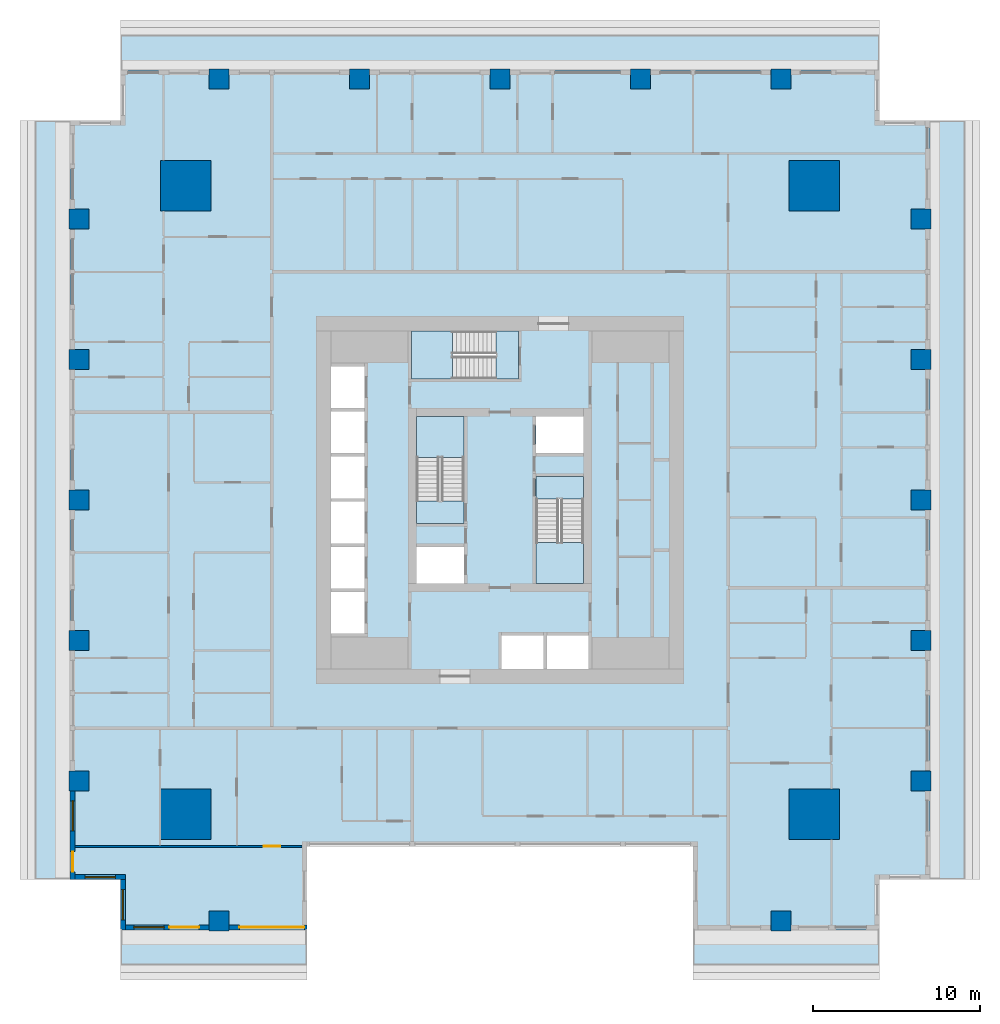
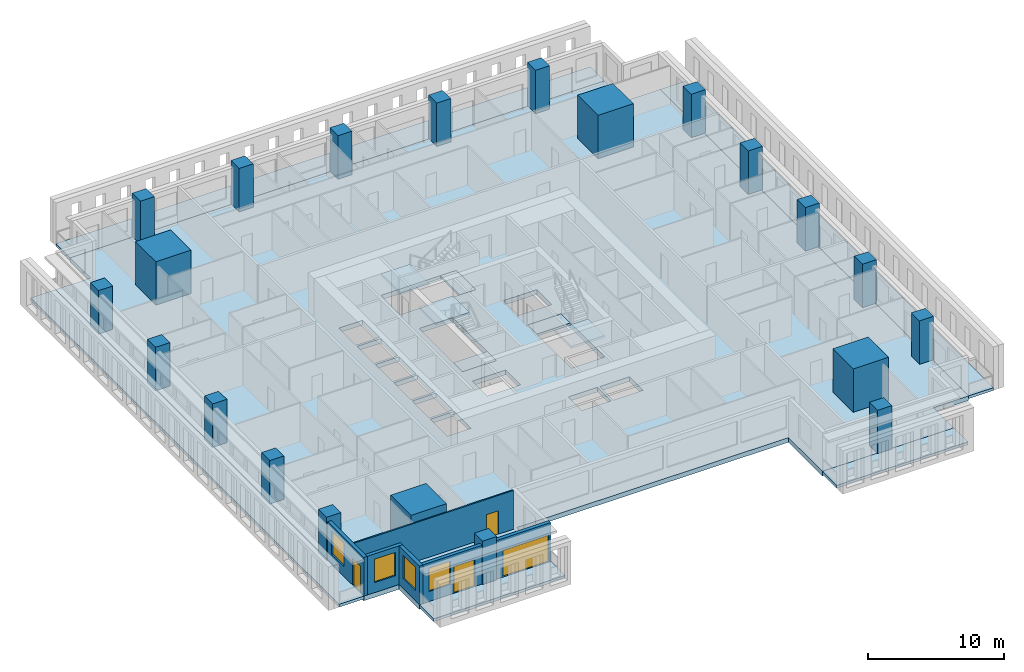
# One storey, part 1 of 14: 21 columns, 12 slabs, 6 walls, 4 doors, 4 windows, 8 openings, 3 elements without a shape of their own.
"""IFC4 building model written with IfcOpenShell, lengths in metres."""

from ifc_helpers import new_model, si_unit, direction, frame, frame_2d, origin, origin_2d, place, context, subcontext, project, spatial, polyline, rectangle, outline, extrude, material, layer, layer_set, material_profile, profile_set, type_object, element, fill, aggregate, save


model = new_model("IFC4")

# Units and contexts
model_context = context("Model", 3, precision=1e-05, world=origin(), true_north=direction((0.0, 1.0)))
body_context = subcontext(model_context, "Body", "Model", "MODEL_VIEW")
ifc_project = project(units=[si_unit("LENGTHUNIT", "METRE"), si_unit("AREAUNIT", "SQUARE_METRE"), si_unit("VOLUMEUNIT", "CUBIC_METRE"), si_unit("PLANEANGLEUNIT", "RADIAN"), si_unit("MASSUNIT", "GRAM", prefix="KILO")], contexts=[model_context])

# Site, building, storey
site_placement = place(None, origin())
site = spatial("IfcSite", under=ifc_project, at=site_placement, CompositionType="ELEMENT")
building_placement = place(site_placement, origin())
building = spatial("IfcBuilding", under=site, at=building_placement, Name="Khepri Terraces", CompositionType="ELEMENT")
storey_placement = place(building_placement, frame((0.0, 0.0, 62.10009765625)))
storey = spatial("IfcBuildingStorey", under=building, at=storey_placement, Name="L14", CompositionType="ELEMENT", Elevation=62.10009765625)

# Columns
ifc_material_1 = material(Name="Concrete C80/95", Category="concrete")
ifc_material_profile_1 = material_profile(ifc_material_1, rectangle(XDim=3.0, YDim=3.0, at=origin_2d()), Name="Concrete C80/95", Category="concrete")
ifc_profile_set_1 = profile_set([ifc_material_profile_1], Name="Concrete C80/95")
column_type_1 = type_object("IfcColumnType", Name="Mega column RC 3000x3000 C80/95", PredefinedType="COLUMN", material=ifc_profile_set_1)
for number, where, z_axis, x_axis, name in (
    (1, (18.800048828125, 18.800048828125, 0.0), (0.0, 0.0, 1.0), (1.0, 0.0, 0.0), "Mega column MEN L14"),
    (2, (18.800048828125, -18.800048828125, 0.0), (0.0, 0.0, 1.0), (1.0, 0.0, 0.0), "Mega column MES L14"),
    (3, (-18.800048828125, 18.800048828125, 0.0), (0.0, 0.0, 1.0), (1.0, 0.0, 0.0), "Mega column MWN L14"),
    (4, (-18.800048828125, -18.800048828125, 0.0), (0.0, 0.0, 1.0), (1.0, 0.0, 0.0), "Mega column MWS L14"),
):
    element("IfcColumn", number, at=place(storey_placement, frame(where, z_axis=z_axis, x_axis=x_axis)), inside=storey, type_object=column_type_1, Name=name, PredefinedType="COLUMN", context=body_context, shape_type="SweptSolid", body=[
        extrude(rectangle(XDim=3.0, YDim=3.0, at=origin_2d()), origin(), (0.0, 0.0, 1.0), 3.89990234375),
    ])
ifc_material_profile_2 = material_profile(ifc_material_1, rectangle(XDim=1.199951171875, YDim=1.199951171875, at=origin_2d()), Name="Concrete C80/95", Category="concrete")
ifc_profile_set_2 = profile_set([ifc_material_profile_2], Name="Concrete C80/95")
column_type_2 = type_object("IfcColumnType", Name="Tower column RC 1200x1200 C80/95", PredefinedType="COLUMN", material=ifc_profile_set_2)
for number, where, z_axis, x_axis, name in (
    (5, (25.199951171875, 0.0, 0.0), (0.0, 0.0, 1.0), (1.0, 0.0, 0.0), "Perimeter column PE+000a L14"),
    (6, (25.199951171875, 8.39990234375, 0.0), (0.0, 0.0, 1.0), (1.0, 0.0, 0.0), "Perimeter column PE+084a L14"),
    (7, (25.199951171875, 16.800048828125, 0.0), (0.0, 0.0, 1.0), (1.0, 0.0, 0.0), "Perimeter column PE+168a L14"),
    (8, (25.199951171875, -8.39990234375, 0.0), (0.0, 0.0, 1.0), (1.0, 0.0, 0.0), "Perimeter column PE-084a L14"),
    (9, (25.199951171875, -16.800048828125, 0.0), (0.0, 0.0, 1.0), (1.0, 0.0, 0.0), "Perimeter column PE-168a L14"),
    (10, (0.0, 25.199951171875, 0.0), (0.0, 0.0, 1.0), (1.0, 0.0, 0.0), "Perimeter column PN+000a L14"),
    (11, (-8.39990234375, 25.199951171875, 0.0), (0.0, 0.0, 1.0), (1.0, 0.0, 0.0), "Perimeter column PN+084a L14"),
    (12, (-16.800048828125, 25.199951171875, 0.0), (0.0, 0.0, 1.0), (1.0, 0.0, 0.0), "Perimeter column PN+168a L14"),
    (13, (8.39990234375, 25.199951171875, 0.0), (0.0, 0.0, 1.0), (1.0, 0.0, 0.0), "Perimeter column PN-084a L14"),
    (14, (16.800048828125, 25.199951171875, 0.0), (0.0, 0.0, 1.0), (1.0, 0.0, 0.0), "Perimeter column PN-168a L14"),
    (15, (16.800048828125, -25.199951171875, 0.0), (0.0, 0.0, 1.0), (1.0, 0.0, 0.0), "Perimeter column PS+168a L14"),
    (16, (-16.800048828125, -25.199951171875, 0.0), (0.0, 0.0, 1.0), (1.0, 0.0, 0.0), "Perimeter column PS-168a L14"),
    (17, (-25.199951171875, 0.0, 0.0), (0.0, 0.0, 1.0), (1.0, 0.0, 0.0), "Perimeter column PW+000a L14"),
    (18, (-25.199951171875, -8.39990234375, 0.0), (0.0, 0.0, 1.0), (1.0, 0.0, 0.0), "Perimeter column PW+084a L14"),
    (19, (-25.199951171875, -16.800048828125, 0.0), (0.0, 0.0, 1.0), (1.0, 0.0, 0.0), "Perimeter column PW+168a L14"),
    (20, (-25.199951171875, 8.39990234375, 0.0), (0.0, 0.0, 1.0), (1.0, 0.0, 0.0), "Perimeter column PW-084a L14"),
    (21, (-25.199951171875, 16.800048828125, 0.0), (0.0, 0.0, 1.0), (1.0, 0.0, 0.0), "Perimeter column PW-168a L14"),
):
    element("IfcColumn", number, at=place(storey_placement, frame(where, z_axis=z_axis, x_axis=x_axis)), inside=storey, type_object=column_type_2, Name=name, PredefinedType="COLUMN", context=body_context, shape_type="SweptSolid", body=[
        extrude(rectangle(XDim=1.199951171875, YDim=1.199951171875, at=origin_2d()), origin(), (0.0, 0.0, 1.0), 3.89990234375),
    ])

# Slabs
ifc_material_2 = material(Name="Concrete C40/50", Category="concrete")
ifc_layer_1 = layer(ifc_material_2, 0.419921875, Name="Concrete C40/50", Category="concrete")
ifc_layer_set_1 = layer_set([ifc_layer_1], Name="Concrete C40/50")
slab_type_1 = type_object("IfcSlabType", Name="Flat plate 420", PredefinedType="FLOOR", material=ifc_layer_set_1)
slab_1_placement = place(storey_placement, frame((0.0, 0.0, -0.420166015625)))
element("IfcSlab", 22, at=slab_1_placement, inside=storey, type_object=slab_type_1, Name="Floor slab F01 L14", PredefinedType="FLOOR", context=body_context, shape_type="SweptSolid", body=[
    extrude(outline(polyline([(22.719970703125, 22.719970703125), (25.719970703125, 22.719970703125), (25.719970703125, -22.719970703125), (22.719970703125, -22.719970703125), (22.719970703125, -25.719970703125), (11.550048828125, -25.719970703125), (11.550048828125, -20.719970703125), (-11.550048828125, -20.719970703125), (-11.550048828125, -25.719970703125), (-22.719970703125, -25.719970703125), (-22.719970703125, -22.719970703125), (-25.719970703125, -22.719970703125), (-25.719970703125, 22.719970703125), (-22.719970703125, 22.719970703125), (-22.719970703125, 25.719970703125), (22.719970703125, 25.719970703125), (22.719970703125, 22.719970703125)]), holes=[polyline([(5.0, 5.0), (2.14990234375, 5.0), (2.14990234375, 2.800048828125), (5.0, 2.800048828125), (5.0, 5.0)]), polyline([(-2.14990234375, -5.0), (-2.14990234375, -2.800048828125), (-5.0, -2.800048828125), (-5.0, -5.0), (-2.14990234375, -5.0)]), polyline([(-10.10009765625, -8.0), (-8.10009765625, -8.0), (-8.10009765625, -5.5), (-10.10009765625, -5.5), (-10.10009765625, -8.0)]), polyline([(-10.10009765625, -2.800048828125), (-10.10009765625, -5.300048828125), (-8.10009765625, -5.300048828125), (-8.10009765625, -2.800048828125), (-10.10009765625, -2.800048828125)]), polyline([(-8.10009765625, -0.10009765625), (-10.10009765625, -0.10009765625), (-10.10009765625, -2.60009765625), (-8.10009765625, -2.60009765625), (-8.10009765625, -0.10009765625)]), polyline([(-8.10009765625, 0.10009765625), (-8.10009765625, 2.60009765625), (-10.10009765625, 2.60009765625), (-10.10009765625, 0.10009765625), (-8.10009765625, 0.10009765625)]), polyline([(-10.10009765625, 2.800048828125), (-8.10009765625, 2.800048828125), (-8.10009765625, 5.300048828125), (-10.10009765625, 5.300048828125), (-10.10009765625, 2.800048828125)]), polyline([(-10.10009765625, 8.0), (-10.10009765625, 5.5), (-8.10009765625, 5.5), (-8.10009765625, 8.0), (-10.10009765625, 8.0)]), polyline([(2.60009765625, -8.10009765625), (0.10009765625, -8.10009765625), (0.10009765625, -10.10009765625), (2.60009765625, -10.10009765625), (2.60009765625, -8.10009765625)]), polyline([(5.300048828125, -10.10009765625), (5.300048828125, -8.10009765625), (2.800048828125, -8.10009765625), (2.800048828125, -10.10009765625), (5.300048828125, -10.10009765625)]), polyline([(-5.0, -1.39990234375), (-2.14990234375, -1.39990234375), (-2.14990234375, 5.0), (-5.0, 5.0), (-5.0, -1.39990234375)]), polyline([(5.0, -5.0), (5.0, 1.39990234375), (2.14990234375, 1.39990234375), (2.14990234375, -5.0), (5.0, -5.0)]), polyline([(-5.300048828125, 10.10009765625), (-5.300048828125, 7.25), (1.10009765625, 7.25), (1.10009765625, 10.10009765625), (-5.300048828125, 10.10009765625)])]), origin(), (0.0, 0.0, 1.0), 0.420166015625),
])
ifc_material_3 = material(Name="Precast concrete C50/60 warm stone", Category="masonry")
ifc_layer_2 = layer(ifc_material_3, 0.25, Name="Precast concrete C50/60 warm stone", Category="masonry")
ifc_layer_set_2 = layer_set([ifc_layer_2], Name="Precast concrete C50/60 warm stone")
slab_type_2 = type_object("IfcSlabType", Name="SLB-BALCONY-250", PredefinedType="FLOOR", material=ifc_layer_set_2)
slab_2_placement = place(storey_placement, frame((0.0, 0.0, -0.25)))
element("IfcSlab", 23, at=slab_2_placement, inside=storey, type_object=slab_type_2, Name="Balcony slab L14 S", PredefinedType="FLOOR", context=body_context, shape_type="SweptSolid", body=[
    extrude(outline(polyline([(-17.39990234375, -25.719970703125), (-22.719970703125, -25.719970703125), (-22.719970703125, -27.820068359375), (-11.550048828125, -27.820068359375), (-11.550048828125, -25.719970703125), (-16.199951171875, -25.719970703125), (-16.199951171875, -25.800048828125), (-17.39990234375, -25.800048828125), (-17.39990234375, -25.719970703125)])), origin(), (0.0, 0.0, 1.0), 0.25),
])
slab_3_placement = place(storey_placement, frame((0.0, 0.0, -0.25)))
element("IfcSlab", 24, at=slab_3_placement, inside=storey, type_object=slab_type_2, Name="Balcony slab L14 S", PredefinedType="FLOOR", context=body_context, shape_type="SweptSolid", body=[
    extrude(outline(polyline([(16.199951171875, -25.719970703125), (11.550048828125, -25.719970703125), (11.550048828125, -27.820068359375), (22.719970703125, -27.820068359375), (22.719970703125, -25.719970703125), (17.39990234375, -25.719970703125), (17.39990234375, -25.800048828125), (16.199951171875, -25.800048828125), (16.199951171875, -25.719970703125)])), origin(), (0.0, 0.0, 1.0), 0.25),
])
slab_4_placement = place(storey_placement, frame((0.0, 0.0, -0.25)))
element("IfcSlab", 25, at=slab_4_placement, inside=storey, type_object=slab_type_2, Name="Balcony slab L14 E", PredefinedType="FLOOR", context=body_context, shape_type="SweptSolid", body=[
    extrude(outline(polyline([(25.719970703125, -17.39990234375), (25.719970703125, -22.719970703125), (27.820068359375, -22.719970703125), (27.820068359375, 22.719970703125), (25.719970703125, 22.719970703125), (25.719970703125, 17.39990234375), (25.800048828125, 17.39990234375), (25.800048828125, 16.199951171875), (25.719970703125, 16.199951171875), (25.719970703125, 9.0), (25.800048828125, 9.0), (25.800048828125, 7.800048828125), (25.719970703125, 7.800048828125), (25.719970703125, 0.60009765625), (25.800048828125, 0.60009765625), (25.800048828125, -0.60009765625), (25.719970703125, -0.60009765625), (25.719970703125, -7.800048828125), (25.800048828125, -7.800048828125), (25.800048828125, -9.0), (25.719970703125, -9.0), (25.719970703125, -16.199951171875), (25.800048828125, -16.199951171875), (25.800048828125, -17.39990234375), (25.719970703125, -17.39990234375)])), origin(), (0.0, 0.0, 1.0), 0.25),
])
slab_5_placement = place(storey_placement, frame((0.0, 0.0, -0.25)))
element("IfcSlab", 26, at=slab_5_placement, inside=storey, type_object=slab_type_2, Name="Balcony slab L14 N", PredefinedType="FLOOR", context=body_context, shape_type="SweptSolid", body=[
    extrude(outline(polyline([(17.39990234375, 25.719970703125), (22.719970703125, 25.719970703125), (22.719970703125, 27.820068359375), (-22.719970703125, 27.820068359375), (-22.719970703125, 25.719970703125), (-17.39990234375, 25.719970703125), (-17.39990234375, 25.800048828125), (-16.199951171875, 25.800048828125), (-16.199951171875, 25.719970703125), (-9.0, 25.719970703125), (-9.0, 25.800048828125), (-7.800048828125, 25.800048828125), (-7.800048828125, 25.719970703125), (-0.60009765625, 25.719970703125), (-0.60009765625, 25.800048828125), (0.60009765625, 25.800048828125), (0.60009765625, 25.719970703125), (7.800048828125, 25.719970703125), (7.800048828125, 25.800048828125), (9.0, 25.800048828125), (9.0, 25.719970703125), (16.199951171875, 25.719970703125), (16.199951171875, 25.800048828125), (17.39990234375, 25.800048828125), (17.39990234375, 25.719970703125)])), origin(), (0.0, 0.0, 1.0), 0.25),
])
slab_6_placement = place(storey_placement, frame((0.0, 0.0, -0.25)))
element("IfcSlab", 27, at=slab_6_placement, inside=storey, type_object=slab_type_2, Name="Balcony slab L14 W", PredefinedType="FLOOR", context=body_context, shape_type="SweptSolid", body=[
    extrude(outline(polyline([(-25.719970703125, 17.39990234375), (-25.719970703125, 22.719970703125), (-27.820068359375, 22.719970703125), (-27.820068359375, -22.719970703125), (-25.719970703125, -22.719970703125), (-25.719970703125, -17.39990234375), (-25.800048828125, -17.39990234375), (-25.800048828125, -16.199951171875), (-25.719970703125, -16.199951171875), (-25.719970703125, -9.0), (-25.800048828125, -9.0), (-25.800048828125, -7.800048828125), (-25.719970703125, -7.800048828125), (-25.719970703125, -0.60009765625), (-25.800048828125, -0.60009765625), (-25.800048828125, 0.60009765625), (-25.719970703125, 0.60009765625), (-25.719970703125, 7.800048828125), (-25.800048828125, 7.800048828125), (-25.800048828125, 9.0), (-25.719970703125, 9.0), (-25.719970703125, 16.199951171875), (-25.800048828125, 16.199951171875), (-25.800048828125, 17.39990234375), (-25.719970703125, 17.39990234375)])), origin(), (0.0, 0.0, 1.0), 0.25),
])

# Stair, slabs
stair_type = type_object("IfcStairType", Name="STAIR-RC-22R", PredefinedType="HALF_TURN_STAIR", material=ifc_material_2)
stair_1_placement = place(storey_placement, origin())
stair_1 = element("IfcStair", 28, at=stair_1_placement, inside=storey, type_object=stair_type, Name="L14 Exit Stair ST-1", PredefinedType="HALF_TURN_STAIR")
ifc_layer_3 = layer(ifc_material_2, 0.199951171875, Name="Concrete C40/50", Category="concrete")
ifc_layer_set_3 = layer_set([ifc_layer_3], Name="Concrete C40/50")
slab_type_3 = type_object("IfcSlabType", Name="SLB-CORE-LANDING", PredefinedType="LANDING", material=ifc_layer_set_3)
slab_7_placement = place(storey_placement, frame((0.0, 0.0, -0.2001953125)))
slab_7 = element("IfcSlab", 29, at=slab_7_placement, type_object=slab_type_3, Name="ST-1 landing 1", PredefinedType="LANDING", context=body_context, shape_type="SweptSolid", body=[
    extrude(outline(polyline([(-2.14990234375, -1.39990234375), (-2.14990234375, -0.050048828125), (-5.0, -0.050048828125), (-5.0, -1.39990234375), (-2.14990234375, -1.39990234375)])), origin(), (0.0, 0.0, 1.0), 0.2001953125),
])
slab_8_placement = place(storey_placement, frame((0.0, 0.0, 1.75)))
slab_8 = element("IfcSlab", 30, at=slab_8_placement, type_object=slab_type_3, Name="ST-1 landing 2", PredefinedType="LANDING", context=body_context, shape_type="SweptSolid", body=[
    extrude(outline(polyline([(-2.14990234375, 2.550048828125), (-2.14990234375, 5.0), (-5.0, 5.0), (-5.0, 2.550048828125), (-2.14990234375, 2.550048828125)])), origin(), (0.0, 0.0, 1.0), 0.199951171875),
])
aggregate(stair_1, [slab_7, slab_8])

stair_2_placement = place(storey_placement, origin())
stair_2 = element("IfcStair", 31, at=stair_2_placement, inside=storey, type_object=stair_type, Name="L14 Exit Stair ST-2", PredefinedType="HALF_TURN_STAIR")
slab_9_placement = place(storey_placement, frame((0.0, 0.0, -0.2001953125)))
slab_9 = element("IfcSlab", 32, at=slab_9_placement, type_object=slab_type_3, Name="ST-2 landing 1", PredefinedType="LANDING", context=body_context, shape_type="SweptSolid", body=[
    extrude(outline(polyline([(2.14990234375, 1.39990234375), (2.14990234375, 0.050048828125), (5.0, 0.050048828125), (5.0, 1.39990234375), (2.14990234375, 1.39990234375)])), origin(), (0.0, 0.0, 1.0), 0.2001953125),
])
slab_10_placement = place(storey_placement, frame((0.0, 0.0, 1.75)))
slab_10 = element("IfcSlab", 33, at=slab_10_placement, type_object=slab_type_3, Name="ST-2 landing 2", PredefinedType="LANDING", context=body_context, shape_type="SweptSolid", body=[
    extrude(outline(polyline([(2.14990234375, -2.550048828125), (2.14990234375, -5.0), (5.0, -5.0), (5.0, -2.550048828125), (2.14990234375, -2.550048828125)])), origin(), (0.0, 0.0, 1.0), 0.199951171875),
])
aggregate(stair_2, [slab_9, slab_10])

stair_3_placement = place(storey_placement, origin())
stair_3 = element("IfcStair", 34, at=stair_3_placement, inside=storey, type_object=stair_type, Name="L14 Exit Stair ST-3", PredefinedType="HALF_TURN_STAIR")
slab_11_placement = place(storey_placement, frame((0.0, 0.0, -0.2001953125)))
slab_11 = element("IfcSlab", 35, at=slab_11_placement, type_object=slab_type_3, Name="ST-3 landing 1", PredefinedType="LANDING", context=body_context, shape_type="SweptSolid", body=[
    extrude(outline(polyline([(1.10009765625, 10.10009765625), (-0.25, 10.10009765625), (-0.25, 7.25), (1.10009765625, 7.25), (1.10009765625, 10.10009765625)])), origin(), (0.0, 0.0, 1.0), 0.2001953125),
])
slab_12_placement = place(storey_placement, frame((0.0, 0.0, 1.75)))
slab_12 = element("IfcSlab", 36, at=slab_12_placement, type_object=slab_type_3, Name="ST-3 landing 2", PredefinedType="LANDING", context=body_context, shape_type="SweptSolid", body=[
    extrude(outline(polyline([(-2.85009765625, 10.10009765625), (-5.300048828125, 10.10009765625), (-5.300048828125, 7.25), (-2.85009765625, 7.25), (-2.85009765625, 10.10009765625)])), origin(), (0.0, 0.0, 1.0), 0.199951171875),
])
aggregate(stair_3, [slab_11, slab_12])

# Wall, openings, door, window
ifc_layer_4 = layer(ifc_material_3, 0.300048828125, Name="Precast concrete C50/60 warm stone", Category="masonry")
ifc_layer_set_4 = layer_set([ifc_layer_4], Name="Precast concrete C50/60 warm stone")
wall_type_1 = type_object("IfcWallType", Name="WL-EXT-PRECAST-300", PredefinedType="STANDARD", material=ifc_layer_set_4)
wall_1_placement = place(storey_placement, frame((-25.570068359375, -17.39990234375, 0.0), z_axis=(0.0, 0.0, 1.0), x_axis=(0.0, -1.0, 0.0)))
wall_1 = element("IfcWall", 37, at=wall_1_placement, inside=storey, type_object=wall_type_1, Name="External wall L14 W", PredefinedType="STANDARD", context=body_context, shape_type="SweptSolid", body=[
    extrude(rectangle(XDim=5.320068359375, YDim=0.300048828125, at=frame_2d((2.66015625, 0.0))), origin(), (0.0, 0.0, 1.0), 3.47998046875),
])
opening_1_placement = place(wall_1_placement, frame((0.60009765625, 0.0, 0.89990234375)))
opening_1 = element("IfcOpeningElement", 38, at=opening_1_placement, cuts=wall_1, Name="Opening W1", PredefinedType="OPENING", context=body_context, shape_type="SweptSolid", body=[
    extrude(rectangle(XDim=1.800048828125, YDim=2.10009765625, at=frame_2d((0.89990234375, 1.050048828125))), frame((0.0, 0.16015625, 0.0), z_axis=(0.0, -1.0, 0.0), x_axis=(1.0, 0.0, 0.0)), (0.0, 0.0, 1.0), 0.320068359375),
])
opening_2_placement = place(wall_1_placement, frame((3.64501953125, 0.0, 0.0)))
opening_2 = element("IfcOpeningElement", 39, at=opening_2_placement, cuts=wall_1, Name="Opening ED-L14-18", PredefinedType="OPENING", context=body_context, shape_type="SweptSolid", body=[
    extrude(rectangle(XDim=1.199951171875, YDim=2.39990234375, at=frame_2d((0.60009765625, 1.199951171875))), frame((0.0, 0.16015625, 0.0), z_axis=(0.0, -1.0, 0.0), x_axis=(1.0, 0.0, 0.0)), (0.0, 0.0, 1.0), 0.320068359375),
])
ifc_material_4 = material(Name="Anodised aluminium bronze glazed door", Category="aluminium")
door_type_1 = type_object("IfcDoorType", Name="DR-BAL-SLIDE-1200x2400", OperationType="NOTDEFINED", PredefinedType="DOOR", material=ifc_material_4)
door_1_placement = place(opening_2_placement, origin())
door_1 = element("IfcDoor", 40, at=door_1_placement, inside=storey, type_object=door_type_1, Name="Balcony door L14 W", OperationType="SLIDING_TO_RIGHT", OverallHeight=2.39990234375, OverallWidth=1.199951171875, PredefinedType="DOOR", context=body_context, shape_type="SweptSolid", body=[
    extrude(rectangle(XDim=1.199951171875, YDim=2.39990234375, at=frame_2d((0.60009765625, 1.199951171875))), frame((0.0, 0.02490234375, 0.0), z_axis=(0.0, -1.0, 0.0), x_axis=(1.0, 0.0, 0.0)), (0.0, 0.0, 1.0), 0.050048828125),
])
fill(opening_2, door_1)
ifc_material_5 = material(Name="Clear glass", Category="glass")
window_type = type_object("IfcWindowType", Name="WIN-RES-1800x2100", PartitioningType="SINGLE_PANEL", PredefinedType="WINDOW", material=ifc_material_5)
window_1_placement = place(opening_1_placement, origin())
window_1 = element("IfcWindow", 41, at=window_1_placement, inside=storey, type_object=window_type, Name="Window L14 W", OverallHeight=2.10009765625, OverallWidth=1.800048828125, PartitioningType="SINGLE_PANEL", PredefinedType="WINDOW", context=body_context, shape_type="SweptSolid", body=[
    extrude(rectangle(XDim=1.800048828125, YDim=2.10009765625, at=frame_2d((0.89990234375, 1.050048828125))), frame((0.0, 0.030029296875, 0.0), z_axis=(0.0, -1.0, 0.0), x_axis=(1.0, 0.0, 0.0)), (0.0, 0.0, 1.0), 0.06005859375),
])
fill(opening_1, window_1)

# Wall, opening, window
wall_2_placement = place(storey_placement, frame((-25.419921875, -22.570068359375, 0.0), z_axis=(0.0, 0.0, 1.0), x_axis=(1.0, 0.0, 0.0)))
wall_2 = element("IfcWall", 42, at=wall_2_placement, inside=storey, type_object=wall_type_1, Name="External wall L14 S", PredefinedType="STANDARD", context=body_context, shape_type="SweptSolid", body=[
    extrude(rectangle(XDim=3.0, YDim=0.300048828125, at=frame_2d((1.5, 0.0))), origin(), (0.0, 0.0, 1.0), 3.47998046875),
])
opening_3_placement = place(wall_2_placement, frame((0.60009765625, 0.0, 0.89990234375)))
opening_3 = element("IfcOpeningElement", 43, at=opening_3_placement, cuts=wall_2, Name="Opening W1", PredefinedType="OPENING", context=body_context, shape_type="SweptSolid", body=[
    extrude(rectangle(XDim=1.800048828125, YDim=2.10009765625, at=frame_2d((0.89990234375, 1.050048828125))), frame((0.0, 0.16015625, 0.0), z_axis=(0.0, -1.0, 0.0), x_axis=(1.0, 0.0, 0.0)), (0.0, 0.0, 1.0), 0.320068359375),
])
window_2_placement = place(opening_3_placement, origin())
window_2 = element("IfcWindow", 44, at=window_2_placement, inside=storey, type_object=window_type, Name="Window L14 S", OverallHeight=2.10009765625, OverallWidth=1.800048828125, PartitioningType="SINGLE_PANEL", PredefinedType="WINDOW", context=body_context, shape_type="SweptSolid", body=[
    extrude(rectangle(XDim=1.800048828125, YDim=2.10009765625, at=frame_2d((0.89990234375, 1.050048828125))), frame((0.0, 0.030029296875, 0.0), z_axis=(0.0, -1.0, 0.0), x_axis=(1.0, 0.0, 0.0)), (0.0, 0.0, 1.0), 0.06005859375),
])
fill(opening_3, window_2)

wall_3_placement = place(storey_placement, frame((-22.570068359375, -22.719970703125, 0.0), z_axis=(0.0, 0.0, 1.0), x_axis=(0.0, -1.0, 0.0)))
wall_3 = element("IfcWall", 45, at=wall_3_placement, inside=storey, type_object=wall_type_1, Name="External wall L14 W", PredefinedType="STANDARD", context=body_context, shape_type="SweptSolid", body=[
    extrude(rectangle(XDim=3.0, YDim=0.300048828125, at=frame_2d((1.5, 0.0))), origin(), (0.0, 0.0, 1.0), 3.47998046875),
])
opening_4_placement = place(wall_3_placement, frame((0.60009765625, 0.0, 0.89990234375)))
opening_4 = element("IfcOpeningElement", 46, at=opening_4_placement, cuts=wall_3, Name="Opening W1", PredefinedType="OPENING", context=body_context, shape_type="SweptSolid", body=[
    extrude(rectangle(XDim=1.800048828125, YDim=2.10009765625, at=frame_2d((0.89990234375, 1.050048828125))), frame((0.0, 0.16015625, 0.0), z_axis=(0.0, -1.0, 0.0), x_axis=(1.0, 0.0, 0.0)), (0.0, 0.0, 1.0), 0.320068359375),
])
window_3_placement = place(opening_4_placement, origin())
window_3 = element("IfcWindow", 47, at=window_3_placement, inside=storey, type_object=window_type, Name="Window L14 W", OverallHeight=2.10009765625, OverallWidth=1.800048828125, PartitioningType="SINGLE_PANEL", PredefinedType="WINDOW", context=body_context, shape_type="SweptSolid", body=[
    extrude(rectangle(XDim=1.800048828125, YDim=2.10009765625, at=frame_2d((0.89990234375, 1.050048828125))), frame((0.0, 0.030029296875, 0.0), z_axis=(0.0, -1.0, 0.0), x_axis=(1.0, 0.0, 0.0)), (0.0, 0.0, 1.0), 0.06005859375),
])
fill(opening_4, window_3)

# Wall, openings, door, window
wall_4_placement = place(storey_placement, frame((-22.419921875, -25.570068359375, 0.0), z_axis=(0.0, 0.0, 1.0), x_axis=(1.0, 0.0, 0.0)))
wall_4 = element("IfcWall", 48, at=wall_4_placement, inside=storey, type_object=wall_type_1, Name="External wall L14 S", PredefinedType="STANDARD", context=body_context, shape_type="SweptSolid", body=[
    extrude(rectangle(XDim=5.02001953125, YDim=0.300048828125, at=frame_2d((2.510009765625, 0.0))), origin(), (0.0, 0.0, 1.0), 3.47998046875),
])
opening_5_placement = place(wall_4_placement, frame((0.52001953125, 0.0, 0.89990234375)))
opening_5 = element("IfcOpeningElement", 49, at=opening_5_placement, cuts=wall_4, Name="Opening W1", PredefinedType="OPENING", context=body_context, shape_type="SweptSolid", body=[
    extrude(rectangle(XDim=1.800048828125, YDim=2.10009765625, at=frame_2d((0.89990234375, 1.050048828125))), frame((0.0, 0.16015625, 0.0), z_axis=(0.0, -1.0, 0.0), x_axis=(1.0, 0.0, 0.0)), (0.0, 0.0, 1.0), 0.320068359375),
])
opening_6_placement = place(wall_4_placement, frame((2.6201171875, 0.0, 0.0)))
opening_6 = element("IfcOpeningElement", 50, at=opening_6_placement, cuts=wall_4, Name="Opening ED-L14-19", PredefinedType="OPENING", context=body_context, shape_type="SweptSolid", body=[
    extrude(rectangle(XDim=1.800048828125, YDim=2.39990234375, at=frame_2d((0.89990234375, 1.199951171875))), frame((0.0, 0.16015625, 0.0), z_axis=(0.0, -1.0, 0.0), x_axis=(1.0, 0.0, 0.0)), (0.0, 0.0, 1.0), 0.320068359375),
])
door_type_2 = type_object("IfcDoorType", Name="DR-BAL-SLIDE-1800x2400", OperationType="NOTDEFINED", PredefinedType="DOOR", material=ifc_material_4)
door_2_placement = place(opening_6_placement, origin())
door_2 = element("IfcDoor", 51, at=door_2_placement, inside=storey, type_object=door_type_2, Name="Balcony door L14 S", OperationType="SLIDING_TO_RIGHT", OverallHeight=2.39990234375, OverallWidth=1.800048828125, PredefinedType="DOOR", context=body_context, shape_type="SweptSolid", body=[
    extrude(rectangle(XDim=1.800048828125, YDim=2.39990234375, at=frame_2d((0.89990234375, 1.199951171875))), frame((0.0, 0.02490234375, 0.0), z_axis=(0.0, -1.0, 0.0), x_axis=(1.0, 0.0, 0.0)), (0.0, 0.0, 1.0), 0.050048828125),
])
fill(opening_6, door_2)
window_4_placement = place(opening_5_placement, origin())
window_4 = element("IfcWindow", 52, at=window_4_placement, inside=storey, type_object=window_type, Name="Window L14 S", OverallHeight=2.10009765625, OverallWidth=1.800048828125, PartitioningType="SINGLE_PANEL", PredefinedType="WINDOW", context=body_context, shape_type="SweptSolid", body=[
    extrude(rectangle(XDim=1.800048828125, YDim=2.10009765625, at=frame_2d((0.89990234375, 1.050048828125))), frame((0.0, 0.030029296875, 0.0), z_axis=(0.0, -1.0, 0.0), x_axis=(1.0, 0.0, 0.0)), (0.0, 0.0, 1.0), 0.06005859375),
])
fill(opening_5, window_4)

# Wall, opening, door
wall_5_placement = place(storey_placement, frame((-16.199951171875, -25.570068359375, 0.0), z_axis=(0.0, 0.0, 1.0), x_axis=(1.0, 0.0, 0.0)))
wall_5 = element("IfcWall", 53, at=wall_5_placement, inside=storey, type_object=wall_type_1, Name="External wall L14 S", PredefinedType="STANDARD", context=body_context, shape_type="SweptSolid", body=[
    extrude(rectangle(XDim=4.64990234375, YDim=0.300048828125, at=frame_2d((2.324951171875, 0.0))), origin(), (0.0, 0.0, 1.0), 3.47998046875),
])
opening_7_placement = place(wall_5_placement, frame((0.60009765625, 0.0, 0.0)))
opening_7 = element("IfcOpeningElement", 54, at=opening_7_placement, cuts=wall_5, Name="Opening ED-L14-20", PredefinedType="OPENING", context=body_context, shape_type="SweptSolid", body=[
    extrude(rectangle(XDim=3.89990234375, YDim=2.39990234375, at=frame_2d((1.949951171875, 1.199951171875))), frame((0.0, 0.16015625, 0.0), z_axis=(0.0, -1.0, 0.0), x_axis=(1.0, 0.0, 0.0)), (0.0, 0.0, 1.0), 0.320068359375),
])
door_type_3 = type_object("IfcDoorType", Name="DR-BAL-SLIDE-3900x2400", OperationType="NOTDEFINED", PredefinedType="DOOR", material=ifc_material_4)
door_3_placement = place(opening_7_placement, origin())
door_3 = element("IfcDoor", 55, at=door_3_placement, inside=storey, type_object=door_type_3, Name="Balcony door L14 S", OperationType="SLIDING_TO_LEFT", OverallHeight=2.39990234375, OverallWidth=3.89990234375, PredefinedType="DOOR", context=body_context, shape_type="SweptSolid", body=[
    extrude(rectangle(XDim=3.89990234375, YDim=2.39990234375, at=frame_2d((1.949951171875, 1.199951171875))), frame((0.0, 0.02490234375, 0.0), z_axis=(0.0, -1.0, 0.0), x_axis=(1.0, 0.0, 0.0)), (0.0, 0.0, 1.0), 0.050048828125),
])
fill(opening_7, door_3)

ifc_material_6 = material(Name="Gypsum plasterboard partition")
ifc_layer_5 = layer(ifc_material_6, 0.1201171875, Name="Gypsum plasterboard partition")
ifc_layer_set_5 = layer_set([ifc_layer_5], Name="Gypsum plasterboard partition")
wall_type_2 = type_object("IfcWallType", Name="WL-PART-120", PredefinedType="PARTITIONING", material=ifc_layer_set_5)
wall_6_placement = place(storey_placement, frame((-25.419921875, -20.719970703125, 0.0), z_axis=(0.0, 0.0, 1.0), x_axis=(1.0, 0.0, 0.0)))
wall_6 = element("IfcWall", 56, at=wall_6_placement, inside=storey, type_object=wall_type_2, Name="Partition P-003 L14", PredefinedType="PARTITIONING", context=body_context, shape_type="SweptSolid", body=[
    extrude(rectangle(XDim=13.56982421875, YDim=0.1201171875, at=frame_2d((6.784912109375, 0.0))), origin(), (0.0, 0.0, 1.0), 3.47998046875),
])
opening_8_placement = place(wall_6_placement, frame((11.27001953125, 0.0, 0.0)))
opening_8 = element("IfcOpeningElement", 57, at=opening_8_placement, cuts=wall_6, Name="Opening D2", PredefinedType="OPENING", context=body_context, shape_type="SweptSolid", body=[
    extrude(rectangle(XDim=1.0, YDim=2.10009765625, at=frame_2d((0.5, 1.050048828125))), frame((0.0, 0.070068359375, 0.0), z_axis=(0.0, -1.0, 0.0), x_axis=(1.0, 0.0, 0.0)), (0.0, 0.0, 1.0), 0.14013671875),
])
ifc_material_7 = material(Name="Timber door leaf, living room door", Category="wood")
door_type_4 = type_object("IfcDoorType", Name="DR-INT-1000", OperationType="NOTDEFINED", PredefinedType="DOOR", material=ifc_material_7)
door_4_placement = place(opening_8_placement, frame((1.0, 0.0, 0.0), z_axis=(0.0, 0.0, 1.0), x_axis=(-1.0, 0.0, 0.0)))
door_4 = element("IfcDoor", 58, at=door_4_placement, inside=storey, type_object=door_type_4, Name="Door Living Room", OperationType="SINGLE_SWING_LEFT", OverallHeight=2.10009765625, OverallWidth=1.0, PredefinedType="DOOR", context=body_context, shape_type="SweptSolid", body=[
    extrude(rectangle(XDim=1.0, YDim=2.10009765625, at=frame_2d((0.5, 1.050048828125))), frame((0.0, 0.02490234375, 0.0), z_axis=(0.0, -1.0, 0.0), x_axis=(1.0, 0.0, 0.0)), (0.0, 0.0, 1.0), 0.050048828125),
])
fill(opening_8, door_4)

save(model, "model.ifc")
